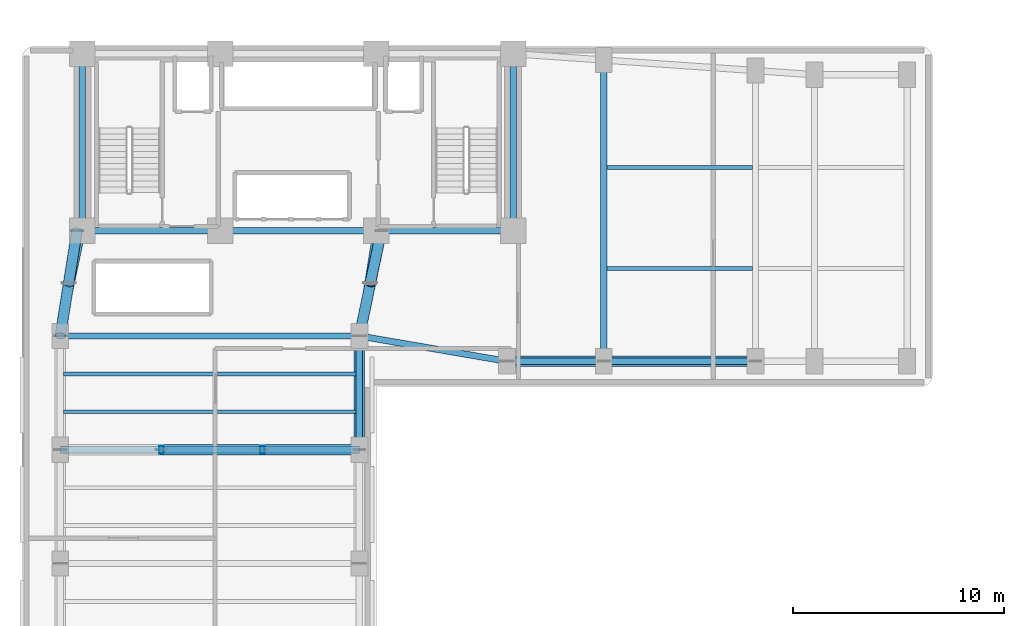
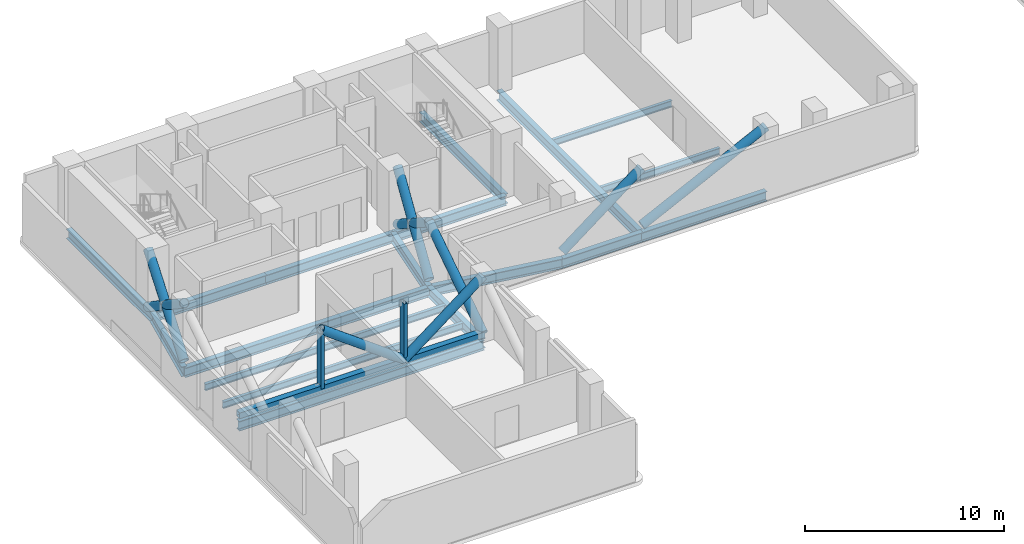
# One storey, part 2 of 9: 18 beams, 14 members.
"""IFC4 building model written with IfcOpenShell, lengths in metres."""

from ifc_helpers import new_model, si_unit, direction, frame, origin, origin_2d, place, context, subcontext, project, spatial, hollow_rectangle, hollow_circle, i_section, extrude, material, material_profile, profile_set, type_object, element, save


model = new_model("IFC4")

# Units and contexts
model_context = context("Model", 3, precision=1e-05, world=origin(), true_north=direction((0.0, 1.0)))
body_context = subcontext(model_context, "Body", "Model", "MODEL_VIEW")
ifc_project = project(units=[si_unit("LENGTHUNIT", "METRE"), si_unit("AREAUNIT", "SQUARE_METRE"), si_unit("VOLUMEUNIT", "CUBIC_METRE"), si_unit("PLANEANGLEUNIT", "RADIAN"), si_unit("MASSUNIT", "GRAM", prefix="KILO")], contexts=[model_context])

# Site, building, storey
site_placement = place(None, origin())
site = spatial("IfcSite", under=ifc_project, at=site_placement, CompositionType="ELEMENT")
building_placement = place(site_placement, origin())
building = spatial("IfcBuilding", under=site, at=building_placement, Name="Kuzgunbayir Cultural Tower", CompositionType="ELEMENT")
storey_placement = place(building_placement, frame((0.0, 0.0, 79.39990234375)))
storey = spatial("IfcBuildingStorey", under=building, at=storey_placement, Name="L22", CompositionType="ELEMENT", Elevation=79.39990234375)

# Beams
ifc_material_1 = material(Name="Steel S355J2", Category="steel")
ifc_material_profile_1 = material_profile(ifc_material_1, i_section(OverallWidth=0.300048828125, OverallDepth=0.60009765625, WebThickness=0.015380859375, FlangeThickness=0.030029296875, FilletRadius=0.027099609375, at=origin_2d()), Name="HEB 600")
ifc_profile_set_1 = profile_set([ifc_material_profile_1], Name="Steel S355J2")
beam_type_1 = type_object("IfcBeamType", Name="BM-EXT-HEB600", PredefinedType="BEAM", material=ifc_profile_set_1)
beam_1_placement = place(storey_placement, frame((19.60009765625, 23.39990234375, -0.539794921875), z_axis=(0.0, 1.0, 0.0), x_axis=(-1.0, 0.0, 0.0)))
element("IfcBeam", 1, at=beam_1_placement, inside=storey, type_object=beam_type_1, Name="L22 Wing A East Girder 3", PredefinedType="BEAM", context=body_context, shape_type="SweptSolid", body=[
    extrude(i_section(OverallWidth=0.300048828125, OverallDepth=0.60009765625, WebThickness=0.015380859375, FlangeThickness=0.030029296875, FilletRadius=0.027099609375, at=origin_2d()), origin(), (0.0, 0.0, 1.0), 5.400146484375),
])
beam_2_placement = place(storey_placement, frame((26.60009765625, 27.60009765625, -0.539794921875), z_axis=(1.0, 0.0, 0.0), x_axis=(0.0, 1.0, 0.0)))
element("IfcBeam", 2, at=beam_2_placement, inside=storey, type_object=beam_type_1, Name="L22 Wing B South Girder 1", PredefinedType="BEAM", context=body_context, shape_type="SweptSolid", body=[
    extrude(i_section(OverallWidth=0.300048828125, OverallDepth=0.60009765625, WebThickness=0.015380859375, FlangeThickness=0.030029296875, FilletRadius=0.027099609375, at=origin_2d()), origin(), (0.0, 0.0, 1.0), 4.599853515625),
])
beam_3_placement = place(storey_placement, frame((31.199951171875, 27.60009765625, -0.539794921875), z_axis=(1.0, 0.0, 0.0), x_axis=(0.0, 1.0, 0.0)))
element("IfcBeam", 3, at=beam_3_placement, inside=storey, type_object=beam_type_1, Name="L22 Wing B South Girder 2", PredefinedType="BEAM", context=body_context, shape_type="SweptSolid", body=[
    extrude(i_section(OverallWidth=0.300048828125, OverallDepth=0.60009765625, WebThickness=0.015380859375, FlangeThickness=0.030029296875, FilletRadius=0.027099609375, at=origin_2d()), origin(), (0.0, 0.0, 1.0), 7.199951171875),
])
ifc_material_profile_2 = material_profile(ifc_material_1, i_section(OverallWidth=0.300048828125, OverallDepth=0.60009765625, WebThickness=0.015380859375, FlangeThickness=0.030029296875, FilletRadius=0.027099609375, at=origin_2d()), Name="HEB 600")
ifc_profile_set_2 = profile_set([ifc_material_profile_2], Name="Steel S355J2")
beam_type_2 = type_object("IfcBeamType", Name="BM-GIR-HEB600", PredefinedType="BEAM", material=ifc_profile_set_2)
beam_4_placement = place(storey_placement, frame((6.449951171875, 33.800048828125, -0.539794921875), z_axis=(1.0, 0.0, 0.0), x_axis=(0.0, 1.0, 0.0)))
element("IfcBeam", 4, at=beam_4_placement, inside=storey, type_object=beam_type_2, Name="L22 Core South Girder 1", PredefinedType="BEAM", context=body_context, shape_type="SweptSolid", body=[
    extrude(i_section(OverallWidth=0.300048828125, OverallDepth=0.60009765625, WebThickness=0.015380859375, FlangeThickness=0.030029296875, FilletRadius=0.027099609375, at=origin_2d()), origin(), (0.0, 0.0, 1.0), 6.550048828125),
])
beam_5_placement = place(storey_placement, frame((13.0, 33.800048828125, -0.539794921875), z_axis=(1.0, 0.0, 0.0), x_axis=(0.0, 1.0, 0.0)))
element("IfcBeam", 5, at=beam_5_placement, inside=storey, type_object=beam_type_2, Name="L22 Core South Girder 2", PredefinedType="BEAM", context=body_context, shape_type="SweptSolid", body=[
    extrude(i_section(OverallWidth=0.300048828125, OverallDepth=0.60009765625, WebThickness=0.015380859375, FlangeThickness=0.030029296875, FilletRadius=0.027099609375, at=origin_2d()), origin(), (0.0, 0.0, 1.0), 7.39990234375),
])
beam_6_placement = place(storey_placement, frame((20.39990234375, 33.800048828125, -0.539794921875), z_axis=(1.0, 0.0, 0.0), x_axis=(0.0, 1.0, 0.0)))
element("IfcBeam", 6, at=beam_6_placement, inside=storey, type_object=beam_type_2, Name="L22 Core South Girder 3", PredefinedType="BEAM", context=body_context, shape_type="SweptSolid", body=[
    extrude(i_section(OverallWidth=0.300048828125, OverallDepth=0.60009765625, WebThickness=0.015380859375, FlangeThickness=0.030029296875, FilletRadius=0.027099609375, at=origin_2d()), origin(), (0.0, 0.0, 1.0), 6.5),
])
for number, where, z_axis, x_axis, name in (
    (7, (6.449951171875, 33.800048828125, -0.539794921875), (0.0, 1.0, 0.0), (-1.0, 0.0, 0.0), "L22 Core West Edge Girder"),
    (8, (26.89990234375, 33.800048828125, -0.539794921875), (0.0, 1.0, 0.0), (-1.0, 0.0, 0.0), "L22 Core East Edge Girder"),
):
    element("IfcBeam", number, at=place(storey_placement, frame(where, z_axis=z_axis, x_axis=x_axis)), inside=storey, type_object=beam_type_2, Name=name, PredefinedType="BEAM", context=body_context, shape_type="SweptSolid", body=[
        extrude(i_section(OverallWidth=0.300048828125, OverallDepth=0.60009765625, WebThickness=0.015380859375, FlangeThickness=0.030029296875, FilletRadius=0.027099609375, at=origin_2d()), origin(), (0.0, 0.0, 1.0), 8.39990234375),
    ])
for number, where, z_axis, x_axis, name in (
    (9, (5.39990234375, 23.39990234375, -0.539794921875), (1.0, 0.0, 0.0), (0.0, 1.0, 0.0), "L22 Wing A Transverse Girder 3"),
    (10, (5.39990234375, 28.800048828125, -0.539794921875), (1.0, 0.0, 0.0), (0.0, 1.0, 0.0), "L22 Wing A Transverse Girder 4"),
):
    element("IfcBeam", number, at=place(storey_placement, frame(where, z_axis=z_axis, x_axis=x_axis)), inside=storey, type_object=beam_type_2, Name=name, PredefinedType="BEAM", context=body_context, shape_type="SweptSolid", body=[
        extrude(i_section(OverallWidth=0.300048828125, OverallDepth=0.60009765625, WebThickness=0.015380859375, FlangeThickness=0.030029296875, FilletRadius=0.027099609375, at=origin_2d()), origin(), (0.0, 0.0, 1.0), 14.2001953125),
    ])
beam_7_placement = place(storey_placement, frame((5.39990234375, 28.800048828125, -0.539794921875), z_axis=(0.205526387753, 0.978651574329, 0.0), x_axis=(-0.978651574329, 0.205526387753, 0.0)))
element("IfcBeam", 11, at=beam_7_placement, inside=storey, type_object=beam_type_2, Name="L22 Wing A West Core Floor Girder", PredefinedType="BEAM", context=body_context, shape_type="SweptSolid", body=[
    extrude(i_section(OverallWidth=0.300048828125, OverallDepth=0.60009765625, WebThickness=0.015380859375, FlangeThickness=0.030029296875, FilletRadius=0.027099609375, at=origin_2d()), origin(), (0.0, 0.0, 1.0), 5.109130859375),
])
beam_8_placement = place(storey_placement, frame((19.60009765625, 28.800048828125, -0.539794921875), z_axis=(0.157952891656, 0.987446648694, 0.0), x_axis=(-0.987446648694, 0.157952891656, 0.0)))
element("IfcBeam", 12, at=beam_8_placement, inside=storey, type_object=beam_type_2, Name="L22 Wing A East Core Floor Girder", PredefinedType="BEAM", context=body_context, shape_type="SweptSolid", body=[
    extrude(i_section(OverallWidth=0.300048828125, OverallDepth=0.60009765625, WebThickness=0.015380859375, FlangeThickness=0.030029296875, FilletRadius=0.027099609375, at=origin_2d()), origin(), (0.0, 0.0, 1.0), 5.0634765625),
])
beam_9_placement = place(storey_placement, frame((31.199951171875, 27.60009765625, -0.539794921875), z_axis=(0.0, 1.0, 0.0), x_axis=(-1.0, 0.0, 0.0)))
element("IfcBeam", 13, at=beam_9_placement, inside=storey, type_object=beam_type_2, Name="L22 Wing B Cross Girder 31", PredefinedType="BEAM", context=body_context, shape_type="SweptSolid", body=[
    extrude(i_section(OverallWidth=0.300048828125, OverallDepth=0.60009765625, WebThickness=0.015380859375, FlangeThickness=0.030029296875, FilletRadius=0.027099609375, at=origin_2d()), origin(), (0.0, 0.0, 1.0), 14.2998046875),
])
beam_10_placement = place(storey_placement, frame((19.60009765625, 28.800048828125, -0.539794921875), z_axis=(0.985623399742, -0.168957136221, 0.0), x_axis=(0.168957136221, 0.985623399742, 0.0)))
element("IfcBeam", 14, at=beam_10_placement, inside=storey, type_object=beam_type_2, Name="L22 Wing B Waist Tie Girder", PredefinedType="BEAM", context=body_context, shape_type="SweptSolid", body=[
    extrude(i_section(OverallWidth=0.300048828125, OverallDepth=0.60009765625, WebThickness=0.015380859375, FlangeThickness=0.030029296875, FilletRadius=0.027099609375, at=origin_2d()), origin(), (0.0, 0.0, 1.0), 7.10205078125),
])
ifc_material_profile_3 = material_profile(ifc_material_1, i_section(OverallWidth=0.179931640625, OverallDepth=0.39990234375, WebThickness=0.008544921875, FlangeThickness=0.013427734375, FilletRadius=0.02099609375, at=origin_2d()), Name="IPE 400")
ifc_profile_set_3 = profile_set([ifc_material_profile_3], Name="Steel S355J2")
beam_type_3 = type_object("IfcBeamType", Name="BM-JST-IPE400", PredefinedType="JOIST", material=ifc_profile_set_3)
for number, where, z_axis, x_axis, name in (
    (15, (5.550048828125, 25.199951171875, -0.43994140625), (1.0, 0.0, 0.0), (0.0, 1.0, 0.0), "L22 Wing A Secondary Joist 5"),
    (16, (5.550048828125, 27.0, -0.43994140625), (1.0, 0.0, 0.0), (0.0, 1.0, 0.0), "L22 Wing A Secondary Joist 6"),
):
    element("IfcBeam", number, at=place(storey_placement, frame(where, z_axis=z_axis, x_axis=x_axis)), inside=storey, type_object=beam_type_3, Name=name, PredefinedType="JOIST", context=body_context, shape_type="SweptSolid", body=[
        extrude(i_section(OverallWidth=0.179931640625, OverallDepth=0.39990234375, WebThickness=0.008544921875, FlangeThickness=0.013427734375, FilletRadius=0.02099609375, at=origin_2d()), origin(), (0.0, 0.0, 1.0), 13.89990234375),
    ])
for number, where, z_axis, x_axis, name in (
    (17, (31.35009765625, 32.0, -0.43994140625), (1.0, 0.0, 0.0), (0.0, 1.0, 0.0), "L22 Wing B Secondary Joist 1.1"),
    (18, (31.35009765625, 36.800048828125, -0.43994140625), (1.0, 0.0, 0.0), (0.0, 1.0, 0.0), "L22 Wing B Secondary Joist 1.2"),
):
    element("IfcBeam", number, at=place(storey_placement, frame(where, z_axis=z_axis, x_axis=x_axis)), inside=storey, type_object=beam_type_3, Name=name, PredefinedType="JOIST", context=body_context, shape_type="SweptSolid", body=[
        extrude(i_section(OverallWidth=0.179931640625, OverallDepth=0.39990234375, WebThickness=0.008544921875, FlangeThickness=0.013427734375, FilletRadius=0.02099609375, at=origin_2d()), origin(), (0.0, 0.0, 1.0), 6.89990234375),
    ])

# Members
ifc_material_2 = material(Name="Steel S460M", Category="steel")
ifc_material_profile_4 = material_profile(ifc_material_2, hollow_rectangle(XDim=0.35009765625, YDim=0.35009765625, WallThickness=0.02001953125, at=origin_2d()), Name="SHS 350x350x20")
ifc_profile_set_4 = profile_set([ifc_material_profile_4], Name="Steel S460M")
member_type_1 = type_object("IfcMemberType", Name="MEM-CHD-SHS350", PredefinedType="CHORD", material=ifc_profile_set_4)
member_1_placement = place(storey_placement, frame((5.39990234375, 23.39990234375, 0.1201171875), z_axis=(1.0, 0.0, 0.0), x_axis=(0.0, 1.0, 0.0)))
element("IfcMember", 19, at=member_1_placement, inside=storey, type_object=member_type_1, Name="L22 Outrigger Bottom Chord", PredefinedType="CHORD", context=body_context, shape_type="SweptSolid", body=[
    extrude(hollow_rectangle(XDim=0.35009765625, YDim=0.35009765625, WallThickness=0.02001953125, at=origin_2d()), origin(), (0.0, 0.0, 1.0), 14.2001953125),
])
ifc_material_profile_5 = material_profile(ifc_material_2, hollow_circle(Radius=0.25390625, WallThickness=0.02490234375, at=origin_2d()), Name="CHS 508x25")
ifc_profile_set_5 = profile_set([ifc_material_profile_5], Name="Steel S460M")
member_type_2 = type_object("IfcMemberType", Name="MEM-OUT-CHS508", PredefinedType="BRACE", material=ifc_profile_set_5)
member_2_placement = place(storey_placement, frame((6.199951171875, 33.800048828125, 0.1201171875), z_axis=(-0.129612608815, -0.810029364826, 0.571885477833), x_axis=(0.98743912751, -0.157999903362, 0.0)))
element("IfcMember", 20, at=member_2_placement, inside=storey, type_object=member_type_2, Name="L22 West Outrigger X-Brace Continuous Primary Diagonal", PredefinedType="BRACE", context=body_context, shape_type="SweptSolid", body=[
    extrude(hollow_circle(Radius=0.25390625, WallThickness=0.02490234375, at=origin_2d()), origin(), (0.0, 0.0, 1.0), 6.172607421875),
])
member_3_placement = place(storey_placement, frame((5.39990234375, 28.800048828125, 0.1201171875), z_axis=(0.130701792204, 0.810048081274, 0.571611010688), x_axis=(-0.987231755088, 0.15929049484, 0.0)))
element("IfcMember", 21, at=member_3_placement, inside=storey, type_object=member_type_2, Name="L22 West Outrigger X-Brace Split Lower Secondary Diagonal", PredefinedType="BRACE", context=body_context, shape_type="SweptSolid", body=[
    extrude(hollow_circle(Radius=0.25390625, WallThickness=0.02490234375, at=origin_2d()), origin(), (0.0, 0.0, 1.0), 3.0615234375),
])
member_4_placement = place(storey_placement, frame((5.800048828125, 31.320068359375, 1.89013671875), z_axis=(0.130379268677, 0.808542497692, 0.5738120561), x_axis=(-0.987247034177, 0.159195771016, 0.0)))
element("IfcMember", 22, at=member_4_placement, inside=storey, type_object=member_type_2, Name="L22 West Outrigger X-Brace Split Upper Secondary Diagonal", PredefinedType="BRACE", context=body_context, shape_type="SweptSolid", body=[
    extrude(hollow_circle(Radius=0.25390625, WallThickness=0.02490234375, at=origin_2d()), origin(), (0.0, 0.0, 1.0), 3.067138671875),
])
member_5_placement = place(storey_placement, frame((20.64990234375, 33.800048828125, 0.1201171875), z_axis=(-0.169052654175, -0.805162408722, 0.568449378306), x_axis=(0.978661184912, -0.205480619879, 0.0)))
element("IfcMember", 23, at=member_5_placement, inside=storey, type_object=member_type_2, Name="L22 East Outrigger X-Brace Continuous Primary Diagonal", PredefinedType="BRACE", context=body_context, shape_type="SweptSolid", body=[
    extrude(hollow_circle(Radius=0.25390625, WallThickness=0.02490234375, at=origin_2d()), origin(), (0.0, 0.0, 1.0), 6.2099609375),
])
member_6_placement = place(storey_placement, frame((19.60009765625, 28.800048828125, 0.1201171875), z_axis=(0.16886578523, 0.805323308151, 0.568276971139), x_axis=(-0.978715076962, 0.205223775736, 0.0)))
element("IfcMember", 24, at=member_6_placement, inside=storey, type_object=member_type_2, Name="L22 East Outrigger X-Brace Split Lower Secondary Diagonal", PredefinedType="BRACE", context=body_context, shape_type="SweptSolid", body=[
    extrude(hollow_circle(Radius=0.25390625, WallThickness=0.02490234375, at=origin_2d()), origin(), (0.0, 0.0, 1.0), 3.07958984375),
])
member_7_placement = place(storey_placement, frame((20.1201171875, 31.320068359375, 1.89013671875), z_axis=(0.171626764081, 0.80340307352, 0.570164673853), x_axis=(-0.977934651967, 0.208911025277, 0.0)))
element("IfcMember", 25, at=member_7_placement, inside=storey, type_object=member_type_2, Name="L22 East Outrigger X-Brace Split Upper Secondary Diagonal", PredefinedType="BRACE", context=body_context, shape_type="SweptSolid", body=[
    extrude(hollow_circle(Radius=0.25390625, WallThickness=0.02490234375, at=origin_2d()), origin(), (0.0, 0.0, 1.0), 3.0869140625),
])
member_8_placement = place(storey_placement, frame((19.60009765625, 23.39990234375, 0.1201171875), z_axis=(0.0, 0.837028940728, 0.547158617206), x_axis=(-1.0, 0.0, 0.0)))
element("IfcMember", 26, at=member_8_placement, inside=storey, type_object=member_type_2, Name="L22 Outrigger and Belt Truss Diagonal 4", PredefinedType="BRACE", context=body_context, shape_type="SweptSolid", body=[
    extrude(hollow_circle(Radius=0.25390625, WallThickness=0.02490234375, at=origin_2d()), origin(), (0.0, 0.0, 1.0), 6.45166015625),
])
member_9_placement = place(storey_placement, frame((10.199951171875, 23.39990234375, 3.650146484375), z_axis=(0.805604421806, 0.0, -0.592453808804), x_axis=(0.0, 1.0, 0.0)))
element("IfcMember", 27, at=member_9_placement, inside=storey, type_object=member_type_2, Name="L22 Outrigger and Belt Truss Diagonal 6", PredefinedType="BRACE", context=body_context, shape_type="SweptSolid", body=[
    extrude(hollow_circle(Radius=0.25390625, WallThickness=0.02490234375, at=origin_2d()), origin(), (0.0, 0.0, 1.0), 5.958251953125),
])
for number, where, z_axis, x_axis, name in (
    (28, (15.0, 23.39990234375, 0.1201171875), (0.79333249874, 0.0, 0.608788589284), (0.0, 1.0, 0.0), "L22 Outrigger and Belt Truss Diagonal 7"),
    (29, (26.60009765625, 27.60009765625, 0.1201171875), (0.793316893049, 0.0, 0.608808925036), (0.0, 1.0, 0.0), "L22 Outrigger and Belt Truss Diagonal 9"),
):
    element("IfcMember", number, at=place(storey_placement, frame(where, z_axis=z_axis, x_axis=x_axis)), inside=storey, type_object=member_type_2, Name=name, PredefinedType="BRACE", context=body_context, shape_type="SweptSolid", body=[
        extrude(hollow_circle(Radius=0.25390625, WallThickness=0.02490234375, at=origin_2d()), origin(), (0.0, 0.0, 1.0), 5.79833984375),
    ])
member_10_placement = place(storey_placement, frame((31.199951171875, 27.60009765625, 0.1201171875), z_axis=(0.897889103921, 0.0, 0.440221713526), x_axis=(0.0, 1.0, 0.0)))
element("IfcMember", 30, at=member_10_placement, inside=storey, type_object=member_type_2, Name="L22 Outrigger and Belt Truss Diagonal 10", PredefinedType="BRACE", context=body_context, shape_type="SweptSolid", body=[
    extrude(hollow_circle(Radius=0.25390625, WallThickness=0.02490234375, at=origin_2d()), origin(), (0.0, 0.0, 1.0), 8.018798828125),
])
ifc_material_profile_6 = material_profile(ifc_material_2, hollow_rectangle(XDim=0.199951171875, YDim=0.39990234375, WallThickness=0.01611328125, at=origin_2d()), Name="RHS 400x200x16")
ifc_profile_set_6 = profile_set([ifc_material_profile_6], Name="Steel S460M")
member_type_3 = type_object("IfcMemberType", Name="MEM-STR-RHS400", PredefinedType="STRUT", material=ifc_profile_set_6)
for number, where, z_axis, x_axis, name in (
    (31, (10.199951171875, 23.39990234375, 0.1201171875), (0.0, 0.0, 1.0), (1.0, 0.0, 0.0), "L22 Outrigger Vertical Strut 10"),
    (32, (15.0, 23.39990234375, 0.1201171875), (0.0, 0.0, 1.0), (1.0, 0.0, 0.0), "L22 Outrigger Vertical Strut 15"),
):
    element("IfcMember", number, at=place(storey_placement, frame(where, z_axis=z_axis, x_axis=x_axis)), inside=storey, type_object=member_type_3, Name=name, PredefinedType="STRUT", context=body_context, shape_type="SweptSolid", body=[
        extrude(hollow_rectangle(XDim=0.199951171875, YDim=0.39990234375, WallThickness=0.01611328125, at=origin_2d()), origin(), (0.0, 0.0, 1.0), 3.530029296875),
    ])

save(model, "model.ifc")
